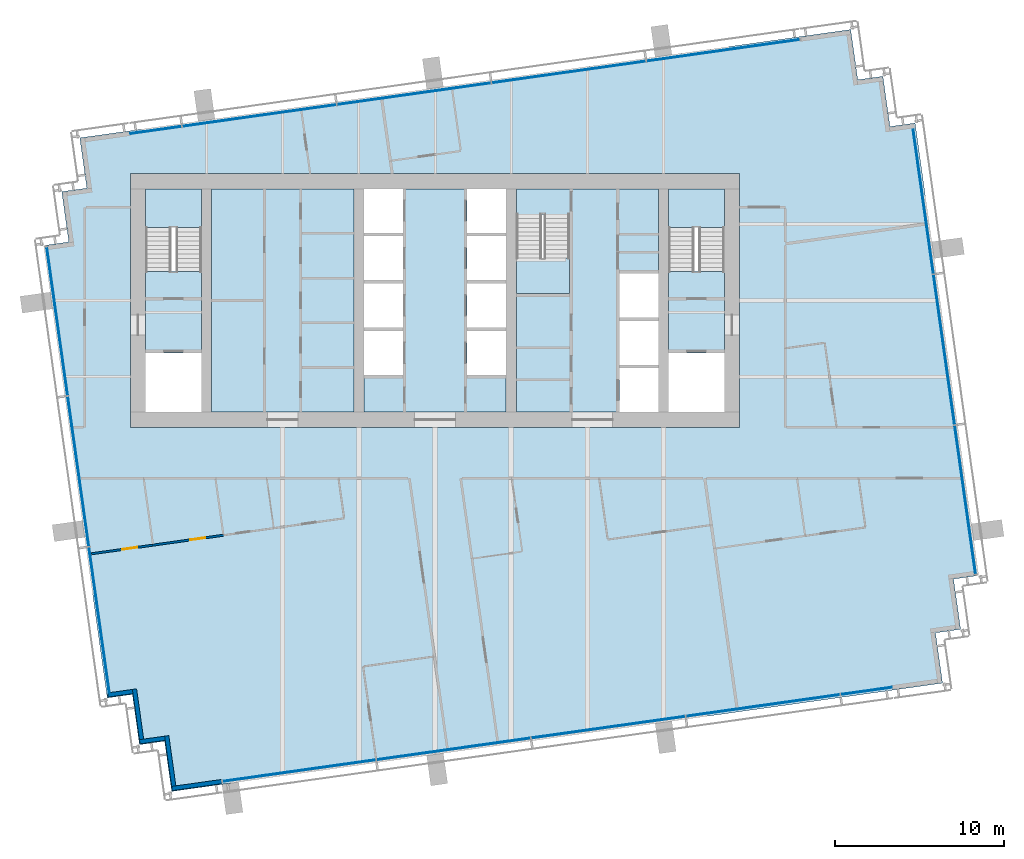
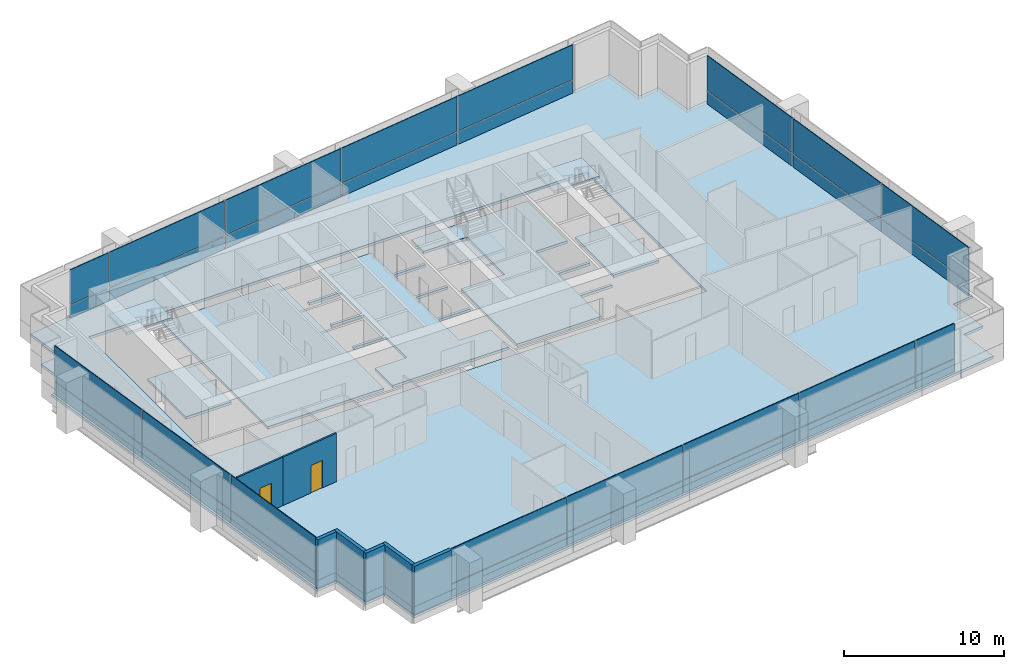
# One storey, part 8 of 18: 32 plates, 9 slabs, 7 walls, 2 doors, 2 openings, 7 elements without a shape of their own.
"""IFC4 building model written with IfcOpenShell, lengths in metres."""

from ifc_helpers import new_model, si_unit, direction, frame, frame_2d, origin, origin_2d, place, context, subcontext, project, spatial, polyline, rectangle, outline, extrude, material, layer, layer_set, type_object, element, fill, aggregate, save


model = new_model("IFC4")

# Units and contexts
model_context = context("Model", 3, precision=1e-05, world=origin(), true_north=direction((0.0, 1.0)))
body_context = subcontext(model_context, "Body", "Model", "MODEL_VIEW")
ifc_project = project(units=[si_unit("LENGTHUNIT", "METRE"), si_unit("AREAUNIT", "SQUARE_METRE"), si_unit("VOLUMEUNIT", "CUBIC_METRE"), si_unit("PLANEANGLEUNIT", "RADIAN"), si_unit("MASSUNIT", "GRAM", prefix="KILO")], contexts=[model_context])

# Site, building, storey
site_placement = place(None, origin())
site = spatial("IfcSite", under=ifc_project, at=site_placement, CompositionType="ELEMENT")
building_placement = place(site_placement, origin())
building = spatial("IfcBuilding", under=site, at=building_placement, Name="Rattan Terrace Tower", CompositionType="ELEMENT")
storey_placement = place(building_placement, frame((0.0, 0.0, 233.0)))
storey = spatial("IfcBuildingStorey", under=building, at=storey_placement, Name="L53", CompositionType="ELEMENT", Elevation=233.0)

# Stair, slab
ifc_material_1 = material(Name="Concrete C40/50", Category="concrete")
stair_type = type_object("IfcStairType", Name="Core exit stair 1500", PredefinedType="HALF_TURN_STAIR", material=ifc_material_1)
stair_1_placement = place(storey_placement, origin())
stair_1 = element("IfcStair", 1, at=stair_1_placement, inside=storey, type_object=stair_type, Name="L53 exit stair 1", PredefinedType="HALF_TURN_STAIR")
ifc_material_2 = material(Name="Concrete C40/50", Category="concrete")
ifc_layer_1 = layer(ifc_material_2, 0.199951171875)
ifc_layer_set_1 = layer_set([ifc_layer_1], Name="Core exit stair landing")
slab_type_1 = type_object("IfcSlabType", Name="Core exit stair landing", PredefinedType="LANDING", material=ifc_layer_set_1)
slab_1_placement = place(storey_placement, frame((0.0, 0.0, 1.75)))
slab_1 = element("IfcSlab", 2, at=slab_1_placement, type_object=slab_type_1, Name="S1 landing 1", PredefinedType="LANDING", context=body_context, shape_type="SweptSolid", body=[
    extrude(outline(polyline([(-13.800048828125, 4.300048828125), (-13.800048828125, 6.60009765625), (-17.10009765625, 6.60009765625), (-17.10009765625, 4.300048828125), (-13.800048828125, 4.300048828125)])), origin(), (0.0, 0.0, 1.0), 0.199951171875),
])
aggregate(stair_1, [slab_1])

stair_2_placement = place(storey_placement, origin())
stair_2 = element("IfcStair", 3, at=stair_2_placement, inside=storey, type_object=stair_type, Name="L53 exit stair 2", PredefinedType="HALF_TURN_STAIR")
slab_2_placement = place(storey_placement, frame((0.0, 0.0, 1.75)))
slab_2 = element("IfcSlab", 4, at=slab_2_placement, type_object=slab_type_1, Name="S2 landing 1", PredefinedType="LANDING", context=body_context, shape_type="SweptSolid", body=[
    extrude(outline(polyline([(17.10009765625, 4.300048828125), (17.10009765625, 6.60009765625), (13.800048828125, 6.60009765625), (13.800048828125, 4.300048828125), (17.10009765625, 4.300048828125)])), origin(), (0.0, 0.0, 1.0), 0.199951171875),
])
aggregate(stair_2, [slab_2])

stair_3_placement = place(storey_placement, origin())
stair_3 = element("IfcStair", 5, at=stair_3_placement, inside=storey, type_object=stair_type, Name="L53 exit stair 3", PredefinedType="HALF_TURN_STAIR")
slab_3_placement = place(storey_placement, frame((0.0, 0.0, 1.75)))
slab_3 = element("IfcSlab", 6, at=slab_3_placement, type_object=slab_type_1, Name="S3 landing 1", PredefinedType="LANDING", context=body_context, shape_type="SweptSolid", body=[
    extrude(outline(polyline([(4.800048828125, 2.5), (4.800048828125, 0.39990234375), (7.949951171875, 0.39990234375), (7.949951171875, 2.5), (4.800048828125, 2.5)])), origin(), (0.0, 0.0, 1.0), 0.199951171875),
])
aggregate(stair_3, [slab_3])

# Slabs
ifc_material_3 = material(Name="Concrete C35/45", Category="concrete")
ifc_layer_2 = layer(ifc_material_3, 0.199951171875)
ifc_layer_set_2 = layer_set([ifc_layer_2], Name="Frame composite floor slab 200")
slab_type_2 = type_object("IfcSlabType", Name="Frame composite floor slab 200", PredefinedType="FLOOR", material=ifc_layer_set_2)
slab_4_placement = place(storey_placement, frame((0.0, 0.0, -0.199951171875)))
element("IfcSlab", 7, at=slab_4_placement, inside=storey, type_object=slab_type_2, Name="Floor slab", PredefinedType="FLOOR", context=body_context, shape_type="SweptSolid", body=[
    extrude(outline(polyline([(-12.591064453125, -28.593994140625), (27.01904296875, -23.027099609375), (29.989990234375, -22.60888671875), (29.572998046875, -19.637939453125), (31.05810546875, -19.429931640625), (30.639892578125, -16.458984375), (32.1259765625, -16.25), (28.367919921875, 10.487060546875), (26.883056640625, 10.278076171875), (26.465087890625, 13.2490234375), (24.97998046875, 13.0400390625), (24.56201171875, 16.010986328125), (21.591064453125, 15.593994140625), (-18.01904296875, 10.027099609375), (-20.989990234375, 9.60888671875), (-20.572998046875, 6.637939453125), (-22.05810546875, 6.429931640625), (-21.639892578125, 3.458984375), (-23.1259765625, 3.25), (-19.367919921875, -23.487060546875), (-17.883056640625, -23.278076171875), (-17.465087890625, -26.2490234375), (-15.97998046875, -26.0400390625), (-15.56201171875, -29.010986328125), (-12.591064453125, -28.593994140625)]), holes=[polyline([(-18.0, -7.5), (18.0, -7.5), (18.0, -6.60009765625), (18.0, 6.60009765625), (18.0, 7.5), (-18.0, 7.5), (-18.0, 6.60009765625), (-18.0, -6.60009765625), (-18.0, -7.5)])]), origin(), (0.0, 0.0, 1.0), 0.199951171875),
])
slab_5_placement = place(storey_placement, frame((0.0, 0.0, -0.199951171875)))
element("IfcSlab", 8, at=slab_5_placement, inside=storey, type_object=slab_type_2, Name="Floor slab", PredefinedType="FLOOR", context=body_context, shape_type="SweptSolid", body=[
    extrude(outline(polyline([(13.199951171875, 6.60009765625), (4.800048828125, 6.60009765625), (4.800048828125, 5.090087890625), (7.949951171875, 5.090087890625), (7.949951171875, 0.39990234375), (4.800048828125, 0.39990234375), (4.800048828125, -6.60009765625), (10.89990234375, -6.60009765625), (10.89990234375, -4.0), (13.199951171875, -4.0), (13.199951171875, -3.800048828125), (10.89990234375, -3.800048828125), (10.89990234375, -1.199951171875), (13.199951171875, -1.199951171875), (13.199951171875, -1.0), (10.89990234375, -1.0), (10.89990234375, 1.60009765625), (13.199951171875, 1.60009765625), (13.199951171875, 6.60009765625)])), origin(), (0.0, 0.0, 1.0), 0.199951171875),
])
slab_6_placement = place(storey_placement, frame((0.0, 0.0, -0.199951171875)))
element("IfcSlab", 9, at=slab_6_placement, inside=storey, type_object=slab_type_2, Name="Floor slab", PredefinedType="FLOOR", context=body_context, shape_type="SweptSolid", body=[
    extrude(outline(polyline([(1.89990234375, 6.60009765625), (-1.89990234375, 6.60009765625), (-1.89990234375, 4.0), (-4.199951171875, 4.0), (-4.199951171875, 3.800048828125), (-1.89990234375, 3.800048828125), (-1.89990234375, 1.199951171875), (-4.199951171875, 1.199951171875), (-4.199951171875, 1.0), (-1.89990234375, 1.0), (-1.89990234375, -1.60009765625), (-4.199951171875, -1.60009765625), (-4.199951171875, -1.800048828125), (-1.89990234375, -1.800048828125), (-1.89990234375, -4.39990234375), (-4.199951171875, -4.39990234375), (-4.199951171875, -6.60009765625), (4.199951171875, -6.60009765625), (4.199951171875, -4.39990234375), (1.89990234375, -4.39990234375), (1.89990234375, -1.800048828125), (4.199951171875, -1.800048828125), (4.199951171875, -1.60009765625), (1.89990234375, -1.60009765625), (1.89990234375, 1.0), (4.199951171875, 1.0), (4.199951171875, 1.199951171875), (1.89990234375, 1.199951171875), (1.89990234375, 3.800048828125), (4.199951171875, 3.800048828125), (4.199951171875, 4.0), (1.89990234375, 4.0), (1.89990234375, 6.60009765625)])), origin(), (0.0, 0.0, 1.0), 0.199951171875),
])
slab_7_placement = place(storey_placement, frame((0.0, 0.0, -0.199951171875)))
element("IfcSlab", 10, at=slab_7_placement, inside=storey, type_object=slab_type_2, Name="Floor slab", PredefinedType="FLOOR", context=body_context, shape_type="SweptSolid", body=[
    extrude(outline(polyline([(-17.10009765625, -3.10009765625), (-13.800048828125, -3.10009765625), (-13.800048828125, 1.7099609375), (-17.10009765625, 1.7099609375), (-17.10009765625, -3.10009765625)])), origin(), (0.0, 0.0, 1.0), 0.199951171875),
])
slab_8_placement = place(storey_placement, frame((0.0, 0.0, -0.199951171875)))
element("IfcSlab", 11, at=slab_8_placement, inside=storey, type_object=slab_type_2, Name="Floor slab", PredefinedType="FLOOR", context=body_context, shape_type="SweptSolid", body=[
    extrude(outline(polyline([(-4.800048828125, -6.60009765625), (-4.800048828125, 6.60009765625), (-13.199951171875, 6.60009765625), (-13.199951171875, -6.60009765625), (-4.800048828125, -6.60009765625)])), origin(), (0.0, 0.0, 1.0), 0.199951171875),
])
slab_9_placement = place(storey_placement, frame((0.0, 0.0, -0.199951171875)))
element("IfcSlab", 12, at=slab_9_placement, inside=storey, type_object=slab_type_2, Name="Floor slab", PredefinedType="FLOOR", context=body_context, shape_type="SweptSolid", body=[
    extrude(outline(polyline([(13.800048828125, -3.10009765625), (17.10009765625, -3.10009765625), (17.10009765625, 1.7099609375), (13.800048828125, 1.7099609375), (13.800048828125, -3.10009765625)])), origin(), (0.0, 0.0, 1.0), 0.199951171875),
])

# Curtain wall, plates
ifc_material_4 = material(Name="Aluminium and laminated glass", Category="aluminium")
ifc_layer_3 = layer(ifc_material_4, 0.199951171875)
ifc_layer_set_3 = layer_set([ifc_layer_3], Name="High-Zone Unitised Curtain Wall")
curtain_wall_type = type_object("IfcCurtainWallType", Name="High-Zone Unitised Curtain Wall", PredefinedType="NOTDEFINED", material=ifc_layer_set_3)
curtain_wall_1_placement = place(storey_placement, origin())
curtain_wall_1 = element("IfcCurtainWall", 13, at=curtain_wall_1_placement, inside=storey, type_object=curtain_wall_type, Name="High-zone curtain wall L53-1", PredefinedType="NOTDEFINED")
ifc_material_5 = material(Name="Aluminium insulated spandrel panel", Category="aluminium")
ifc_layer_4 = layer(ifc_material_5, 0.050048828125)
ifc_layer_set_4 = layer_set([ifc_layer_4], Name="High-Zone CW Spandrel Panel")
plate_type_1 = type_object("IfcPlateType", Name="High-Zone CW Spandrel Panel", PredefinedType="CURTAIN_PANEL", material=ifc_layer_set_4)
plate_1_placement = place(storey_placement, frame((31.32568359375, -11.77783203125, 0.0), z_axis=(0.0, 0.0, 1.0), x_axis=(-0.139186165309, 0.990266232579, 0.0)))
plate_1 = element("IfcPlate", 14, at=plate_1_placement, type_object=plate_type_1, Name="Panel cwl-L53-001.1.1", PredefinedType="CURTAIN_PANEL", context=body_context, shape_type="SweptSolid", body=[
    extrude(rectangle(XDim=8.85009765625, YDim=0.050048828125, at=origin_2d()), origin(), (0.0, 0.0, 1.0), 0.965087890625),
])
plate_2_placement = place(storey_placement, frame((30.07861328125, -2.905029296875, 0.0), z_axis=(0.0, 0.0, 1.0), x_axis=(-0.139186165309, 0.990266232579, 0.0)))
plate_2 = element("IfcPlate", 15, at=plate_2_placement, type_object=plate_type_1, Name="Panel cwl-L53-001.2.1", PredefinedType="CURTAIN_PANEL", context=body_context, shape_type="SweptSolid", body=[
    extrude(rectangle(XDim=8.929931640625, YDim=0.050048828125, at=origin_2d()), origin(), (0.0, 0.0, 1.0), 0.965087890625),
])
plate_3_placement = place(storey_placement, frame((28.843994140625, 5.87841796875, 0.0), z_axis=(0.0, 0.0, 1.0), x_axis=(-0.139186165309, 0.990266232579, 0.0)))
plate_3 = element("IfcPlate", 16, at=plate_3_placement, type_object=plate_type_1, Name="Panel cwl-L53-001.3.1", PredefinedType="CURTAIN_PANEL", context=body_context, shape_type="SweptSolid", body=[
    extrude(rectangle(XDim=8.669677734375, YDim=0.050048828125, at=origin_2d()), origin(), (0.0, 0.0, 1.0), 0.965087890625),
])

curtain_wall_2_placement = place(storey_placement, origin())
curtain_wall_2 = element("IfcCurtainWall", 17, at=curtain_wall_2_placement, inside=storey, type_object=curtain_wall_type, Name="High-zone curtain wall L53-2", PredefinedType="NOTDEFINED")
plate_4_placement = place(storey_placement, frame((17.02685546875, 14.78076171875, 0.0), z_axis=(0.0, 0.0, 1.0), x_axis=(-0.990267457022, -0.139177453499, 0.0)))
plate_4 = element("IfcPlate", 18, at=plate_4_placement, type_object=plate_type_1, Name="Panel cwl-L53-002.1.1", PredefinedType="CURTAIN_PANEL", context=body_context, shape_type="SweptSolid", body=[
    extrude(rectangle(XDim=9.1259765625, YDim=0.050048828125, at=origin_2d()), origin(), (0.0, 0.0, 1.0), 0.965087890625),
])
plate_5_placement = place(storey_placement, frame((7.90283203125, 13.49853515625, 0.0), z_axis=(0.0, 0.0, 1.0), x_axis=(-0.990267457022, -0.139177453499, 0.0)))
plate_5 = element("IfcPlate", 19, at=plate_5_placement, type_object=plate_type_1, Name="Panel cwl-L53-002.2.1", PredefinedType="CURTAIN_PANEL", context=body_context, shape_type="SweptSolid", body=[
    extrude(rectangle(XDim=9.160888671875, YDim=0.050048828125, at=origin_2d()), origin(), (0.0, 0.0, 1.0), 0.965087890625),
])
plate_6_placement = place(storey_placement, frame((-1.23828125, 12.2138671875, 0.0), z_axis=(0.0, 0.0, 1.0), x_axis=(-0.990267457022, -0.139177453499, 0.0)))
plate_6 = element("IfcPlate", 20, at=plate_6_placement, type_object=plate_type_1, Name="Panel cwl-L53-002.3.1", PredefinedType="CURTAIN_PANEL", context=body_context, shape_type="SweptSolid", body=[
    extrude(rectangle(XDim=9.160888671875, YDim=0.050048828125, at=origin_2d()), origin(), (0.0, 0.0, 1.0), 0.965087890625),
])
plate_7_placement = place(storey_placement, frame((-10.37939453125, 10.928955078125, 0.0), z_axis=(0.0, 0.0, 1.0), x_axis=(-0.990267457022, -0.139177453499, 0.0)))
plate_7 = element("IfcPlate", 21, at=plate_7_placement, type_object=plate_type_1, Name="Panel cwl-L53-002.4.1", PredefinedType="CURTAIN_PANEL", context=body_context, shape_type="SweptSolid", body=[
    extrude(rectangle(XDim=9.160888671875, YDim=0.050048828125, at=origin_2d()), origin(), (0.0, 0.0, 1.0), 0.965087890625),
])
plate_8_placement = place(storey_placement, frame((-16.489990234375, 10.0703125, 0.0), z_axis=(0.0, 0.0, 1.0), x_axis=(-0.990267457022, -0.139177453499, 0.0)))
plate_8 = element("IfcPlate", 22, at=plate_8_placement, type_object=plate_type_1, Name="Panel cwl-L53-002.5.1", PredefinedType="CURTAIN_PANEL", context=body_context, shape_type="SweptSolid", body=[
    extrude(rectangle(XDim=3.040283203125, YDim=0.050048828125, at=origin_2d()), origin(), (0.0, 0.0, 1.0), 0.965087890625),
])

curtain_wall_3_placement = place(storey_placement, origin())
curtain_wall_3 = element("IfcCurtainWall", 23, at=curtain_wall_3_placement, inside=storey, type_object=curtain_wall_type, Name="High-zone curtain wall L53-3", PredefinedType="NOTDEFINED")
plate_9_placement = place(storey_placement, frame((-22.32568359375, -1.22216796875, 0.0), z_axis=(0.0, 0.0, 1.0), x_axis=(0.139186165309, -0.990266232579, 0.0)))
plate_9 = element("IfcPlate", 24, at=plate_9_placement, type_object=plate_type_1, Name="Panel cwl-L53-003.1.1", PredefinedType="CURTAIN_PANEL", context=body_context, shape_type="SweptSolid", body=[
    extrude(rectangle(XDim=8.85009765625, YDim=0.050048828125, at=origin_2d()), origin(), (0.0, 0.0, 1.0), 0.965087890625),
])
plate_10_placement = place(storey_placement, frame((-21.07861328125, -10.094970703125, 0.0), z_axis=(0.0, 0.0, 1.0), x_axis=(0.139186165309, -0.990266232579, 0.0)))
plate_10 = element("IfcPlate", 25, at=plate_10_placement, type_object=plate_type_1, Name="Panel cwl-L53-003.2.1", PredefinedType="CURTAIN_PANEL", context=body_context, shape_type="SweptSolid", body=[
    extrude(rectangle(XDim=8.929931640625, YDim=0.050048828125, at=origin_2d()), origin(), (0.0, 0.0, 1.0), 0.965087890625),
])
plate_11_placement = place(storey_placement, frame((-19.843994140625, -18.87841796875, 0.0), z_axis=(0.0, 0.0, 1.0), x_axis=(0.139186165309, -0.990266232579, 0.0)))
plate_11 = element("IfcPlate", 26, at=plate_11_placement, type_object=plate_type_1, Name="Panel cwl-L53-003.3.1", PredefinedType="CURTAIN_PANEL", context=body_context, shape_type="SweptSolid", body=[
    extrude(rectangle(XDim=8.669677734375, YDim=0.050048828125, at=origin_2d()), origin(), (0.0, 0.0, 1.0), 0.965087890625),
])

curtain_wall_4_placement = place(storey_placement, origin())
curtain_wall_4 = element("IfcCurtainWall", 27, at=curtain_wall_4_placement, inside=storey, type_object=curtain_wall_type, Name="High-zone curtain wall L53-4", PredefinedType="NOTDEFINED")
plate_12_placement = place(storey_placement, frame((-8.02685546875, -27.78076171875, 0.0), z_axis=(0.0, 0.0, 1.0), x_axis=(0.990267457022, 0.139177453499, 0.0)))
plate_12 = element("IfcPlate", 28, at=plate_12_placement, type_object=plate_type_1, Name="Panel cwl-L53-004.1.1", PredefinedType="CURTAIN_PANEL", context=body_context, shape_type="SweptSolid", body=[
    extrude(rectangle(XDim=9.1259765625, YDim=0.050048828125, at=origin_2d()), origin(), (0.0, 0.0, 1.0), 0.965087890625),
])
plate_13_placement = place(storey_placement, frame((1.09716796875, -26.49853515625, 0.0), z_axis=(0.0, 0.0, 1.0), x_axis=(0.990267457022, 0.139177453499, 0.0)))
plate_13 = element("IfcPlate", 29, at=plate_13_placement, type_object=plate_type_1, Name="Panel cwl-L53-004.2.1", PredefinedType="CURTAIN_PANEL", context=body_context, shape_type="SweptSolid", body=[
    extrude(rectangle(XDim=9.160888671875, YDim=0.050048828125, at=origin_2d()), origin(), (0.0, 0.0, 1.0), 0.965087890625),
])
plate_14_placement = place(storey_placement, frame((10.23828125, -25.2138671875, 0.0), z_axis=(0.0, 0.0, 1.0), x_axis=(0.990267457022, 0.139177453499, 0.0)))
plate_14 = element("IfcPlate", 30, at=plate_14_placement, type_object=plate_type_1, Name="Panel cwl-L53-004.3.1", PredefinedType="CURTAIN_PANEL", context=body_context, shape_type="SweptSolid", body=[
    extrude(rectangle(XDim=9.160888671875, YDim=0.050048828125, at=origin_2d()), origin(), (0.0, 0.0, 1.0), 0.965087890625),
])
plate_15_placement = place(storey_placement, frame((19.37939453125, -23.928955078125, 0.0), z_axis=(0.0, 0.0, 1.0), x_axis=(0.990267457022, 0.139177453499, 0.0)))
plate_15 = element("IfcPlate", 31, at=plate_15_placement, type_object=plate_type_1, Name="Panel cwl-L53-004.4.1", PredefinedType="CURTAIN_PANEL", context=body_context, shape_type="SweptSolid", body=[
    extrude(rectangle(XDim=9.160888671875, YDim=0.050048828125, at=origin_2d()), origin(), (0.0, 0.0, 1.0), 0.965087890625),
])
plate_16_placement = place(storey_placement, frame((25.489990234375, -23.0703125, 0.0), z_axis=(0.0, 0.0, 1.0), x_axis=(0.990267457022, 0.139177453499, 0.0)))
plate_16 = element("IfcPlate", 32, at=plate_16_placement, type_object=plate_type_1, Name="Panel cwl-L53-004.5.1", PredefinedType="CURTAIN_PANEL", context=body_context, shape_type="SweptSolid", body=[
    extrude(rectangle(XDim=3.040283203125, YDim=0.050048828125, at=origin_2d()), origin(), (0.0, 0.0, 1.0), 0.965087890625),
])

# Plate
ifc_material_6 = material(Name="Laminated low-iron glass", Category="glass")
ifc_layer_5 = layer(ifc_material_6, 0.055908203125)
ifc_layer_set_5 = layer_set([ifc_layer_5], Name="High-Zone CW Vision Panel")
plate_type_2 = type_object("IfcPlateType", Name="High-Zone CW Vision Panel", PredefinedType="CURTAIN_PANEL", material=ifc_layer_set_5)
plate_17_placement = place(storey_placement, frame((31.32568359375, -11.77783203125, 1.034912109375), z_axis=(0.0, 0.0, 1.0), x_axis=(-0.139186165309, 0.990266232579, 0.0)))
plate_17 = element("IfcPlate", 33, at=plate_17_placement, type_object=plate_type_2, Name="Panel cwl-L53-001.1.2", PredefinedType="CURTAIN_PANEL", context=body_context, shape_type="SweptSolid", body=[
    extrude(rectangle(XDim=8.85009765625, YDim=0.055908203125, at=origin_2d()), origin(), (0.0, 0.0, 1.0), 2.6650390625),
])

plate_18_placement = place(storey_placement, frame((30.07861328125, -2.905029296875, 1.034912109375), z_axis=(0.0, 0.0, 1.0), x_axis=(-0.139186165309, 0.990266232579, 0.0)))
plate_18 = element("IfcPlate", 34, at=plate_18_placement, type_object=plate_type_2, Name="Panel cwl-L53-001.2.2", PredefinedType="CURTAIN_PANEL", context=body_context, shape_type="SweptSolid", body=[
    extrude(rectangle(XDim=8.929931640625, YDim=0.055908203125, at=origin_2d()), origin(), (0.0, 0.0, 1.0), 2.6650390625),
])

plate_19_placement = place(storey_placement, frame((28.843994140625, 5.87841796875, 1.034912109375), z_axis=(0.0, 0.0, 1.0), x_axis=(-0.139186165309, 0.990266232579, 0.0)))
plate_19 = element("IfcPlate", 35, at=plate_19_placement, type_object=plate_type_2, Name="Panel cwl-L53-001.3.2", PredefinedType="CURTAIN_PANEL", context=body_context, shape_type="SweptSolid", body=[
    extrude(rectangle(XDim=8.669677734375, YDim=0.055908203125, at=origin_2d()), origin(), (0.0, 0.0, 1.0), 2.6650390625),
])

aggregate(curtain_wall_1, [plate_1, plate_17, plate_2, plate_18, plate_3, plate_19])

plate_20_placement = place(storey_placement, frame((17.02685546875, 14.78076171875, 1.034912109375), z_axis=(0.0, 0.0, 1.0), x_axis=(-0.990267457022, -0.139177453499, 0.0)))
plate_20 = element("IfcPlate", 36, at=plate_20_placement, type_object=plate_type_2, Name="Panel cwl-L53-002.1.2", PredefinedType="CURTAIN_PANEL", context=body_context, shape_type="SweptSolid", body=[
    extrude(rectangle(XDim=9.1259765625, YDim=0.055908203125, at=origin_2d()), origin(), (0.0, 0.0, 1.0), 2.6650390625),
])

plate_21_placement = place(storey_placement, frame((7.90283203125, 13.49853515625, 1.034912109375), z_axis=(0.0, 0.0, 1.0), x_axis=(-0.990267457022, -0.139177453499, 0.0)))
plate_21 = element("IfcPlate", 37, at=plate_21_placement, type_object=plate_type_2, Name="Panel cwl-L53-002.2.2", PredefinedType="CURTAIN_PANEL", context=body_context, shape_type="SweptSolid", body=[
    extrude(rectangle(XDim=9.160888671875, YDim=0.055908203125, at=origin_2d()), origin(), (0.0, 0.0, 1.0), 2.6650390625),
])

plate_22_placement = place(storey_placement, frame((-1.23828125, 12.2138671875, 1.034912109375), z_axis=(0.0, 0.0, 1.0), x_axis=(-0.990267457022, -0.139177453499, 0.0)))
plate_22 = element("IfcPlate", 38, at=plate_22_placement, type_object=plate_type_2, Name="Panel cwl-L53-002.3.2", PredefinedType="CURTAIN_PANEL", context=body_context, shape_type="SweptSolid", body=[
    extrude(rectangle(XDim=9.160888671875, YDim=0.055908203125, at=origin_2d()), origin(), (0.0, 0.0, 1.0), 2.6650390625),
])

plate_23_placement = place(storey_placement, frame((-10.37939453125, 10.928955078125, 1.034912109375), z_axis=(0.0, 0.0, 1.0), x_axis=(-0.990267457022, -0.139177453499, 0.0)))
plate_23 = element("IfcPlate", 39, at=plate_23_placement, type_object=plate_type_2, Name="Panel cwl-L53-002.4.2", PredefinedType="CURTAIN_PANEL", context=body_context, shape_type="SweptSolid", body=[
    extrude(rectangle(XDim=9.160888671875, YDim=0.055908203125, at=origin_2d()), origin(), (0.0, 0.0, 1.0), 2.6650390625),
])

plate_24_placement = place(storey_placement, frame((-16.489990234375, 10.0703125, 1.034912109375), z_axis=(0.0, 0.0, 1.0), x_axis=(-0.990267457022, -0.139177453499, 0.0)))
plate_24 = element("IfcPlate", 40, at=plate_24_placement, type_object=plate_type_2, Name="Panel cwl-L53-002.5.2", PredefinedType="CURTAIN_PANEL", context=body_context, shape_type="SweptSolid", body=[
    extrude(rectangle(XDim=3.040283203125, YDim=0.055908203125, at=origin_2d()), origin(), (0.0, 0.0, 1.0), 2.6650390625),
])

aggregate(curtain_wall_2, [plate_4, plate_20, plate_5, plate_21, plate_6, plate_22, plate_7, plate_23, plate_8, plate_24])

plate_25_placement = place(storey_placement, frame((-22.32568359375, -1.22216796875, 1.034912109375), z_axis=(0.0, 0.0, 1.0), x_axis=(0.139186165309, -0.990266232579, 0.0)))
plate_25 = element("IfcPlate", 41, at=plate_25_placement, type_object=plate_type_2, Name="Panel cwl-L53-003.1.2", PredefinedType="CURTAIN_PANEL", context=body_context, shape_type="SweptSolid", body=[
    extrude(rectangle(XDim=8.85009765625, YDim=0.055908203125, at=origin_2d()), origin(), (0.0, 0.0, 1.0), 2.6650390625),
])

plate_26_placement = place(storey_placement, frame((-21.07861328125, -10.094970703125, 1.034912109375), z_axis=(0.0, 0.0, 1.0), x_axis=(0.139186165309, -0.990266232579, 0.0)))
plate_26 = element("IfcPlate", 42, at=plate_26_placement, type_object=plate_type_2, Name="Panel cwl-L53-003.2.2", PredefinedType="CURTAIN_PANEL", context=body_context, shape_type="SweptSolid", body=[
    extrude(rectangle(XDim=8.929931640625, YDim=0.055908203125, at=origin_2d()), origin(), (0.0, 0.0, 1.0), 2.6650390625),
])

plate_27_placement = place(storey_placement, frame((-19.843994140625, -18.87841796875, 1.034912109375), z_axis=(0.0, 0.0, 1.0), x_axis=(0.139186165309, -0.990266232579, 0.0)))
plate_27 = element("IfcPlate", 43, at=plate_27_placement, type_object=plate_type_2, Name="Panel cwl-L53-003.3.2", PredefinedType="CURTAIN_PANEL", context=body_context, shape_type="SweptSolid", body=[
    extrude(rectangle(XDim=8.669677734375, YDim=0.055908203125, at=origin_2d()), origin(), (0.0, 0.0, 1.0), 2.6650390625),
])

aggregate(curtain_wall_3, [plate_9, plate_25, plate_10, plate_26, plate_11, plate_27])

plate_28_placement = place(storey_placement, frame((-8.02685546875, -27.78076171875, 1.034912109375), z_axis=(0.0, 0.0, 1.0), x_axis=(0.990267457022, 0.139177453499, 0.0)))
plate_28 = element("IfcPlate", 44, at=plate_28_placement, type_object=plate_type_2, Name="Panel cwl-L53-004.1.2", PredefinedType="CURTAIN_PANEL", context=body_context, shape_type="SweptSolid", body=[
    extrude(rectangle(XDim=9.1259765625, YDim=0.055908203125, at=origin_2d()), origin(), (0.0, 0.0, 1.0), 2.6650390625),
])

plate_29_placement = place(storey_placement, frame((1.09716796875, -26.49853515625, 1.034912109375), z_axis=(0.0, 0.0, 1.0), x_axis=(0.990267457022, 0.139177453499, 0.0)))
plate_29 = element("IfcPlate", 45, at=plate_29_placement, type_object=plate_type_2, Name="Panel cwl-L53-004.2.2", PredefinedType="CURTAIN_PANEL", context=body_context, shape_type="SweptSolid", body=[
    extrude(rectangle(XDim=9.160888671875, YDim=0.055908203125, at=origin_2d()), origin(), (0.0, 0.0, 1.0), 2.6650390625),
])

plate_30_placement = place(storey_placement, frame((10.23828125, -25.2138671875, 1.034912109375), z_axis=(0.0, 0.0, 1.0), x_axis=(0.990267457022, 0.139177453499, 0.0)))
plate_30 = element("IfcPlate", 46, at=plate_30_placement, type_object=plate_type_2, Name="Panel cwl-L53-004.3.2", PredefinedType="CURTAIN_PANEL", context=body_context, shape_type="SweptSolid", body=[
    extrude(rectangle(XDim=9.160888671875, YDim=0.055908203125, at=origin_2d()), origin(), (0.0, 0.0, 1.0), 2.6650390625),
])

plate_31_placement = place(storey_placement, frame((19.37939453125, -23.928955078125, 1.034912109375), z_axis=(0.0, 0.0, 1.0), x_axis=(0.990267457022, 0.139177453499, 0.0)))
plate_31 = element("IfcPlate", 47, at=plate_31_placement, type_object=plate_type_2, Name="Panel cwl-L53-004.4.2", PredefinedType="CURTAIN_PANEL", context=body_context, shape_type="SweptSolid", body=[
    extrude(rectangle(XDim=9.160888671875, YDim=0.055908203125, at=origin_2d()), origin(), (0.0, 0.0, 1.0), 2.6650390625),
])

plate_32_placement = place(storey_placement, frame((25.489990234375, -23.0703125, 1.034912109375), z_axis=(0.0, 0.0, 1.0), x_axis=(0.990267457022, 0.139177453499, 0.0)))
plate_32 = element("IfcPlate", 48, at=plate_32_placement, type_object=plate_type_2, Name="Panel cwl-L53-004.5.2", PredefinedType="CURTAIN_PANEL", context=body_context, shape_type="SweptSolid", body=[
    extrude(rectangle(XDim=3.040283203125, YDim=0.055908203125, at=origin_2d()), origin(), (0.0, 0.0, 1.0), 2.6650390625),
])

aggregate(curtain_wall_4, [plate_12, plate_28, plate_13, plate_29, plate_14, plate_30, plate_15, plate_31, plate_16, plate_32])

# Walls
ifc_material_7 = material(Name="Insulated aluminium-clad stud wall", Category="aluminium")
ifc_layer_6 = layer(ifc_material_7, 0.25)
ifc_layer_set_6 = layer_set([ifc_layer_6], Name="Facade Riser Wall 250")
wall_type_1 = type_object("IfcWallType", Name="Facade Riser Wall 250", PredefinedType="SOLIDWALL", material=ifc_layer_set_6)
wall_1_placement = place(storey_placement, frame((-19.322265625, -23.308837890625, 0.0), z_axis=(0.0, 0.0, 1.0), x_axis=(0.990235520307, 0.13940449893, 0.0)))
element("IfcWall", 49, at=wall_1_placement, inside=storey, type_object=wall_type_1, Name="Riser wall L53-16", PredefinedType="SOLIDWALL", context=body_context, shape_type="SweptSolid", body=[
    extrude(rectangle(XDim=1.474609375, YDim=0.25, at=frame_2d((0.7373046875, 0.0))), origin(), (0.0, 0.0, 1.0), 3.699951171875),
])
wall_2_placement = place(storey_placement, frame((-17.755859375, -22.962158203125, 0.0), z_axis=(0.0, 0.0, 1.0), x_axis=(0.139393225799, -0.990237107263, 0.0)))
element("IfcWall", 50, at=wall_2_placement, inside=storey, type_object=wall_type_1, Name="Riser wall L53-17", PredefinedType="SOLIDWALL", context=body_context, shape_type="SweptSolid", body=[
    extrude(rectangle(XDim=3.000244140625, YDim=0.25, at=frame_2d((1.5, 0.0))), origin(), (0.0, 0.0, 1.0), 3.699951171875),
])
wall_3_placement = place(storey_placement, frame((-17.444091796875, -26.074462890625, 0.0), z_axis=(0.0, 0.0, 1.0), x_axis=(0.990240434918, 0.139369584395, 0.0)))
element("IfcWall", 51, at=wall_3_placement, inside=storey, type_object=wall_type_1, Name="Riser wall L53-18", PredefinedType="SOLIDWALL", context=body_context, shape_type="SweptSolid", body=[
    extrude(rectangle(XDim=1.49951171875, YDim=0.25, at=frame_2d((0.749755859375, 0.0))), origin(), (0.0, 0.0, 1.0), 3.699951171875),
])
wall_4_placement = place(storey_placement, frame((-15.852783203125, -25.72412109375, 0.0), z_axis=(0.0, 0.0, 1.0), x_axis=(0.139302206688, -0.990249915532, 0.0)))
element("IfcWall", 52, at=wall_4_placement, inside=storey, type_object=wall_type_1, Name="Riser wall L53-19", PredefinedType="SOLIDWALL", context=body_context, shape_type="SweptSolid", body=[
    extrude(rectangle(XDim=3.00048828125, YDim=0.25, at=frame_2d((1.500244140625, 0.0))), origin(), (0.0, 0.0, 1.0), 3.699951171875),
])
wall_5_placement = place(storey_placement, frame((-15.541015625, -28.83642578125, 0.0), z_axis=(0.0, 0.0, 1.0), x_axis=(0.990285396533, 0.139049751574, 0.0)))
element("IfcWall", 53, at=wall_5_placement, inside=storey, type_object=wall_type_1, Name="Riser wall L53-20", PredefinedType="SOLIDWALL", context=body_context, shape_type="SweptSolid", body=[
    extrude(rectangle(XDim=2.955078125, YDim=0.25, at=frame_2d((1.4775390625, 0.0))), origin(), (0.0, 0.0, 1.0), 3.699951171875),
])

# Wall, opening, door
ifc_material_8 = material(Name="Moisture resistant gypsum board partition on steel studs with service cavity", Category="steel")
ifc_layer_7 = layer(ifc_material_8, 0.1201171875)
ifc_layer_set_7 = layer_set([ifc_layer_7], Name="Floors Wet Wall 120")
wall_type_2 = type_object("IfcWallType", Name="Floors Wet Wall 120", PredefinedType="PARTITIONING", material=ifc_layer_set_7)
wall_6_placement = place(storey_placement, frame((-20.302978515625, -14.967041015625, 0.0), z_axis=(0.0, 0.0, 1.0), x_axis=(0.990278989802, 0.139095371445, 0.0)))
wall_6 = element("IfcWall", 54, at=wall_6_placement, inside=storey, type_object=wall_type_2, Name="pt-L53-027", PredefinedType="PARTITIONING", context=body_context, shape_type="SweptSolid", body=[
    extrude(rectangle(XDim=3.65966796875, YDim=0.1201171875, at=frame_2d((1.829833984375, 0.0))), origin(), (0.0, 0.0, 1.0), 3.699951171875),
])
opening_1_placement = place(wall_6_placement, frame((1.83203125, 0.0, 0.0)))
opening_1 = element("IfcOpeningElement", 55, at=opening_1_placement, cuts=wall_6, Name="Opening L53-D102", PredefinedType="OPENING", context=body_context, shape_type="SweptSolid", body=[
    extrude(rectangle(XDim=0.89990234375, YDim=2.10009765625, at=frame_2d((0.449951171875, 1.050048828125))), frame((0.0, 0.070556640625, 0.0), z_axis=(0.0, -1.0, 0.0), x_axis=(1.0, 0.0, 0.0)), (0.0, 0.0, 1.0), 0.14111328125),
])
ifc_material_9 = material(Name="Solid core timber door, painted", Category="wood")
door_type = type_object("IfcDoorType", Name="Floors Door 900x2100", OperationType="NOTDEFINED", PredefinedType="DOOR", material=ifc_material_9)
door_1_placement = place(opening_1_placement, origin())
door_1 = element("IfcDoor", 56, at=door_1_placement, inside=storey, type_object=door_type, Name="d-L53-102", OperationType="SINGLE_SWING_RIGHT", OverallHeight=2.10009765625, OverallWidth=0.89990234375, PredefinedType="DOOR", context=body_context, shape_type="SweptSolid", body=[
    extrude(rectangle(XDim=0.89990234375, YDim=2.10009765625, at=frame_2d((0.449951171875, 1.050048828125))), frame((0.0, 0.02490234375, 0.0), z_axis=(0.0, -1.0, 0.0), x_axis=(1.0, 0.0, 0.0)), (0.0, 0.0, 1.0), 0.050048828125),
])
fill(opening_1, door_1)

wall_7_placement = place(storey_placement, frame((-16.678955078125, -14.4580078125, 0.0), z_axis=(0.0, 0.0, 1.0), x_axis=(0.990269352743, 0.139163964508, 0.0)))
wall_7 = element("IfcWall", 57, at=wall_7_placement, inside=storey, type_object=wall_type_2, Name="pt-L53-028", PredefinedType="PARTITIONING", context=body_context, shape_type="SweptSolid", body=[
    extrude(rectangle(XDim=4.240234375, YDim=0.1201171875, at=frame_2d((2.1201171875, 0.0))), origin(), (0.0, 0.0, 1.0), 3.699951171875),
])
opening_2_placement = place(wall_7_placement, frame((2.238037109375, 0.0, 0.0)))
opening_2 = element("IfcOpeningElement", 58, at=opening_2_placement, cuts=wall_7, Name="Opening L53-D103", PredefinedType="OPENING", context=body_context, shape_type="SweptSolid", body=[
    extrude(rectangle(XDim=0.89990234375, YDim=2.10009765625, at=frame_2d((0.449951171875, 1.050048828125))), frame((0.0, 0.070556640625, 0.0), z_axis=(0.0, -1.0, 0.0), x_axis=(1.0, 0.0, 0.0)), (0.0, 0.0, 1.0), 0.14111328125),
])
door_2_placement = place(opening_2_placement, origin())
door_2 = element("IfcDoor", 59, at=door_2_placement, inside=storey, type_object=door_type, Name="d-L53-103", OperationType="SINGLE_SWING_RIGHT", OverallHeight=2.10009765625, OverallWidth=0.89990234375, PredefinedType="DOOR", context=body_context, shape_type="SweptSolid", body=[
    extrude(rectangle(XDim=0.89990234375, YDim=2.10009765625, at=frame_2d((0.449951171875, 1.050048828125))), frame((0.0, 0.02490234375, 0.0), z_axis=(0.0, -1.0, 0.0), x_axis=(1.0, 0.0, 0.0)), (0.0, 0.0, 1.0), 0.050048828125),
])
fill(opening_2, door_2)

save(model, "model.ifc")
